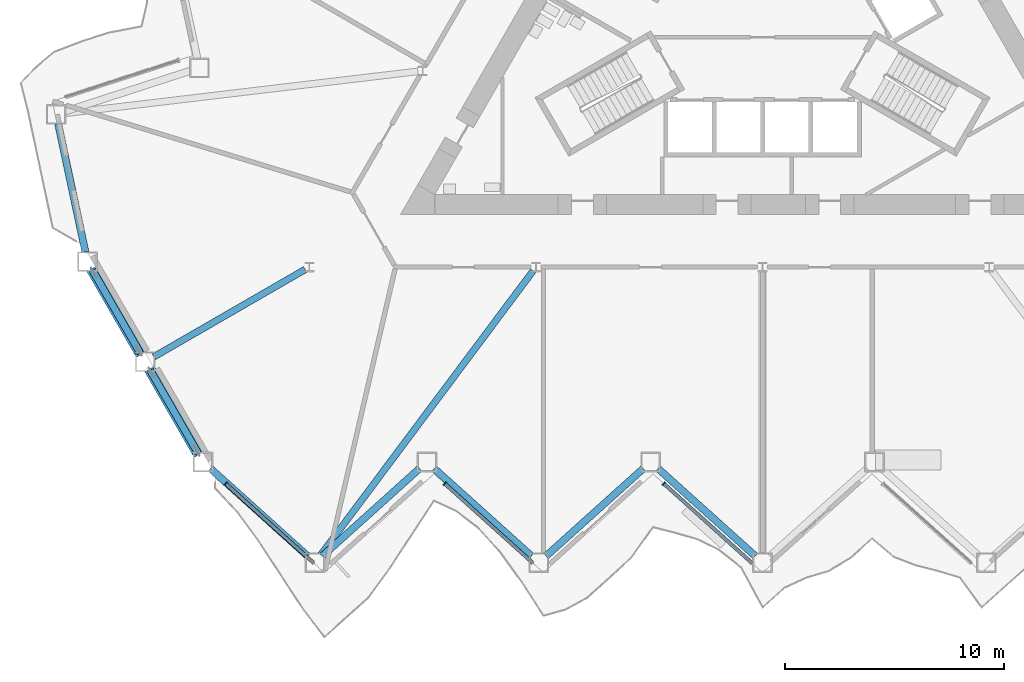
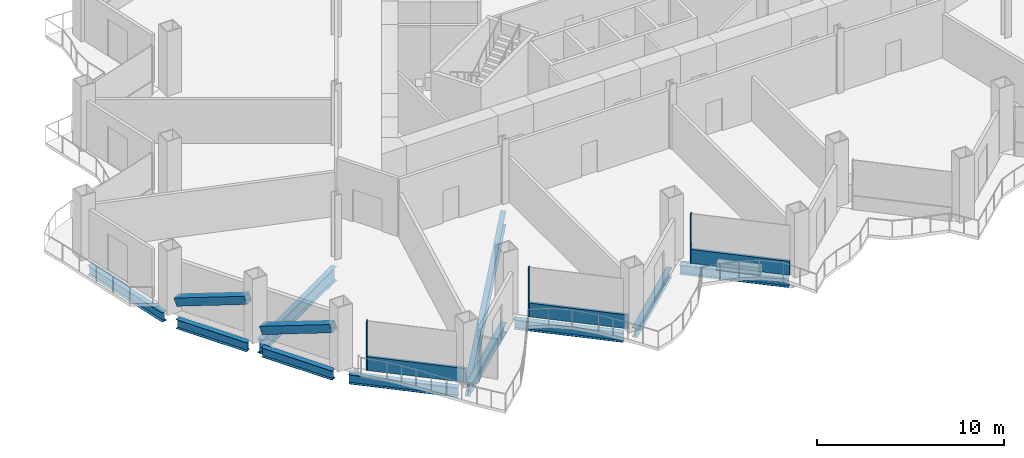
# One storey, part 3 of 21: 10 beams, 8 members, 3 elements without a shape of their own.
"""IFC4 building model written with IfcOpenShell, lengths in metres."""

from ifc_helpers import new_model, si_unit, direction, frame, origin, origin_2d, place, context, subcontext, project, spatial, rectangle, hollow_rectangle, i_section, extrude, material, layer, layer_set, material_profile, profile_set, type_object, element, aggregate, save


model = new_model("IFC4")

# Units and contexts
model_context = context("Model", 3, precision=1e-05, world=origin(), true_north=direction((0.0, 1.0)))
body_context = subcontext(model_context, "Body", "Model", "MODEL_VIEW")
ifc_project = project(units=[si_unit("LENGTHUNIT", "METRE"), si_unit("AREAUNIT", "SQUARE_METRE"), si_unit("VOLUMEUNIT", "CUBIC_METRE"), si_unit("PLANEANGLEUNIT", "RADIAN"), si_unit("MASSUNIT", "GRAM", prefix="KILO")], contexts=[model_context])

# Site, building, storey
site_placement = place(None, origin())
site = spatial("IfcSite", under=ifc_project, at=site_placement, CompositionType="ELEMENT")
building_placement = place(site_placement, origin())
building = spatial("IfcBuilding", under=site, at=building_placement, Name="Cormorant Prow Tower", CompositionType="ELEMENT")
storey_placement = place(building_placement, frame((0.0, 0.0, 108.0)))
storey = spatial("IfcBuildingStorey", under=building, at=storey_placement, Name="L22", CompositionType="ELEMENT", Elevation=108.0)

# Members
ifc_material_1 = material(Name="Structural steel ASTM A500 Gr C", Category="steel")
ifc_material_profile_1 = material_profile(ifc_material_1, hollow_rectangle(XDim=0.508056640625, YDim=0.508056640625, WallThickness=0.014892578125, at=origin_2d()), Name="HSS20x20x5/8")
ifc_profile_set_1 = profile_set([ifc_material_profile_1], Name="Structural steel ASTM A500 Gr C")
member_type_1 = type_object("IfcMemberType", Name="Chamfer brace HSS20x20x5/8", PredefinedType="BRACE", material=ifc_profile_set_1)
for number, where, z_axis, x_axis, name in (
    (1, (-30.535400390625, -12.0849609375, 0.776611328125), (0.467784671838, -0.810243526908, 0.35310469821), (0.866029868417, 0.499992266949, 0.0), "Chamfer brace BR1 at WSW00 L22"),
    (2, (-27.900634765625, -16.648681640625, 0.776611328125), (0.467784671838, -0.810243526908, 0.35310469821), (0.866029868417, 0.499992266949, 0.0), "Chamfer brace BR1 at WSW01 L22"),
):
    element("IfcMember", number, at=place(storey_placement, frame(where, z_axis=z_axis, x_axis=x_axis)), inside=storey, type_object=member_type_1, Name=name, PredefinedType="BRACE", context=body_context, shape_type="SweptSolid", body=[
        extrude(hollow_rectangle(XDim=0.508056640625, YDim=0.508056640625, WallThickness=0.014892578125, at=origin_2d()), origin(), (0.0, 0.0, 1.0), 4.632568359375),
    ])

# Curtain wall, member
ifc_material_2 = material(Name="Aluminium 6063-T6", Category="aluminium")
ifc_layer = layer(ifc_material_2, 0.199951171875)
ifc_layer_set = layer_set([ifc_layer], Name="Aluminium 6063-T6")
curtain_wall_type = type_object("IfcCurtainWallType", Name="Office unitised curtain wall 200", PredefinedType="NOTDEFINED", material=ifc_layer_set)
curtain_wall_1_placement = place(storey_placement, origin())
curtain_wall_1 = element("IfcCurtainWall", 3, at=curtain_wall_1_placement, inside=storey, type_object=curtain_wall_type, Name="Office curtain wall S00", PredefinedType="NOTDEFINED")
ifc_material_3 = material(Name="Aluminium 6063-T6", Category="aluminium")
ifc_material_profile_2 = material_profile(ifc_material_3, rectangle(XDim=0.199951171875, YDim=0.06005859375, at=origin_2d()), Name="Office mullion 60x200")
ifc_profile_set_2 = profile_set([ifc_material_profile_2], Name="Aluminium 6063-T6")
member_type_2 = type_object("IfcMemberType", Name="Office mullion 60x200", PredefinedType="MULLION", material=ifc_profile_set_2)
member_1_placement = place(storey_placement, frame((-24.468505859375, -21.800537109375, 0.0), z_axis=(0.0, 0.0, 1.0), x_axis=(0.669130650497, 0.743144785735, 0.0)))
member_1 = element("IfcMember", 4, at=member_1_placement, type_object=member_type_2, Name="Office mullion S00", PredefinedType="MULLION", context=body_context, shape_type="SweptSolid", body=[
    extrude(rectangle(XDim=0.199951171875, YDim=0.06005859375, at=origin_2d()), origin(), (0.0, 0.0, 1.0), 3.18896484375),
])

curtain_wall_2_placement = place(storey_placement, origin())
curtain_wall_2 = element("IfcCurtainWall", 5, at=curtain_wall_2_placement, inside=storey, type_object=curtain_wall_type, Name="Office curtain wall S02", PredefinedType="NOTDEFINED")
member_2_placement = place(storey_placement, frame((-14.483154296875, -21.800537109375, 0.0), z_axis=(0.0, 0.0, 1.0), x_axis=(0.669130650497, 0.743144785735, 0.0)))
member_2 = element("IfcMember", 6, at=member_2_placement, type_object=member_type_2, Name="Office mullion S02", PredefinedType="MULLION", context=body_context, shape_type="SweptSolid", body=[
    extrude(rectangle(XDim=0.199951171875, YDim=0.06005859375, at=origin_2d()), origin(), (0.0, 0.0, 1.0), 3.18896484375),
])

curtain_wall_3_placement = place(storey_placement, origin())
curtain_wall_3 = element("IfcCurtainWall", 7, at=curtain_wall_3_placement, inside=storey, type_object=curtain_wall_type, Name="Office curtain wall S04", PredefinedType="NOTDEFINED")
member_3_placement = place(storey_placement, frame((-4.497802734375, -21.800537109375, 0.0), z_axis=(0.0, 0.0, 1.0), x_axis=(0.669130650497, 0.743144785735, 0.0)))
member_3 = element("IfcMember", 8, at=member_3_placement, type_object=member_type_2, Name="Office mullion S04", PredefinedType="MULLION", context=body_context, shape_type="SweptSolid", body=[
    extrude(rectangle(XDim=0.199951171875, YDim=0.06005859375, at=origin_2d()), origin(), (0.0, 0.0, 1.0), 3.18896484375),
])

# Member
ifc_material_4 = material(Name="Terracotta", Category="masonry")
ifc_material_profile_3 = material_profile(ifc_material_4, rectangle(XDim=0.159912109375, YDim=0.89990234375, at=origin_2d()), Name="Office terracotta spandrel rail 160x900")
ifc_profile_set_3 = profile_set([ifc_material_profile_3], Name="Terracotta")
member_type_3 = type_object("IfcMemberType", Name="Office terracotta spandrel rail 160x900", PredefinedType="USERDEFINED", material=ifc_profile_set_3)
member_4_placement = place(storey_placement, frame((-24.446044921875, -21.820556640625, 0.449951171875), z_axis=(0.743125087883, -0.669152526528, 0.0), x_axis=(0.669152526528, 0.743125087883, 0.0)))
member_4 = element("IfcMember", 9, at=member_4_placement, type_object=member_type_3, Name="Office spandrel rail S00", ObjectType="TRANSOM", PredefinedType="USERDEFINED", context=body_context, shape_type="SweptSolid", body=[
    extrude(rectangle(XDim=0.159912109375, YDim=0.89990234375, at=origin_2d()), origin(), (0.0, 0.0, 1.0), 5.38623046875),
])

aggregate(curtain_wall_1, [member_1, member_4])

member_5_placement = place(storey_placement, frame((-14.460693359375, -21.820556640625, 0.449951171875), z_axis=(0.743125087883, -0.669152526528, 0.0), x_axis=(0.669152526528, 0.743125087883, 0.0)))
member_5 = element("IfcMember", 10, at=member_5_placement, type_object=member_type_3, Name="Office spandrel rail S02", ObjectType="TRANSOM", PredefinedType="USERDEFINED", context=body_context, shape_type="SweptSolid", body=[
    extrude(rectangle(XDim=0.159912109375, YDim=0.89990234375, at=origin_2d()), origin(), (0.0, 0.0, 1.0), 5.38623046875),
])

aggregate(curtain_wall_2, [member_2, member_5])

member_6_placement = place(storey_placement, frame((-4.475341796875, -21.820556640625, 0.449951171875), z_axis=(0.743125087883, -0.669152526528, 0.0), x_axis=(0.669152526528, 0.743125087883, 0.0)))
member_6 = element("IfcMember", 11, at=member_6_placement, type_object=member_type_3, Name="Office spandrel rail S04", ObjectType="TRANSOM", PredefinedType="USERDEFINED", context=body_context, shape_type="SweptSolid", body=[
    extrude(rectangle(XDim=0.159912109375, YDim=0.89990234375, at=origin_2d()), origin(), (0.0, 0.0, 1.0), 5.38623046875),
])

aggregate(curtain_wall_3, [member_3, member_6])

# Beams
ifc_material_5 = material(Name="Structural steel ASTM A992 Gr 50", Category="steel")
ifc_material_profile_4 = material_profile(ifc_material_5, i_section(OverallWidth=0.3046875, OverallDepth=0.914794921875, WebThickness=0.0166015625, FlangeThickness=0.02587890625, at=origin_2d()), Name="W36x160")
ifc_profile_set_4 = profile_set([ifc_material_profile_4], Name="Structural steel ASTM A992 Gr 50")
beam_type_1 = type_object("IfcBeamType", Name="Radial floor beam W36x160", PredefinedType="BEAM", material=ifc_profile_set_4)
beam_1_placement = place(storey_placement, frame((-20.84521484375, -12.034912109375, -0.857421875), z_axis=(-0.866018715534, -0.50001158421, 0.0), x_axis=(0.50001158421, -0.866018715534, 0.0)))
element("IfcBeam", 12, at=beam_1_placement, inside=storey, type_object=beam_type_1, Name="Radial floor beam FB1 5 L22", PredefinedType="BEAM", context=body_context, shape_type="SweptSolid", body=[
    extrude(i_section(OverallWidth=0.3046875, OverallDepth=0.914794921875, WebThickness=0.0166015625, FlangeThickness=0.02587890625, at=origin_2d()), origin(), (0.0, 0.0, 1.0), 7.967041015625),
])
beam_2_placement = place(storey_placement, frame((-10.458740234375, -12.100341796875, -0.857421875), z_axis=(-0.598722444929, -0.800956574315, 0.0), x_axis=(0.800956574315, -0.598722444929, 0.0)))
element("IfcBeam", 13, at=beam_2_placement, inside=storey, type_object=beam_type_1, Name="Radial floor beam FB1 6 L22", PredefinedType="BEAM", context=body_context, shape_type="SweptSolid", body=[
    extrude(i_section(OverallWidth=0.3046875, OverallDepth=0.914794921875, WebThickness=0.0166015625, FlangeThickness=0.02587890625, at=origin_2d()), origin(), (0.0, 0.0, 1.0), 16.15380859375),
])
ifc_material_6 = material(Name="Structural steel ASTM A992 Gr 50", Category="steel")
ifc_material_profile_5 = material_profile(ifc_material_6, i_section(OverallWidth=0.32373046875, OverallDepth=0.611083984375, WebThickness=0.0126953125, FlangeThickness=0.01904296875, at=origin_2d()), Name="W24x104")
ifc_profile_set_5 = profile_set([ifc_material_profile_5], Name="Structural steel ASTM A992 Gr 50")
beam_type_2 = type_object("IfcBeamType", Name="Spandrel beam W24x104", PredefinedType="SPANDREL", material=ifc_profile_set_5)
for number, where, z_axis, x_axis, name in (
    (14, (-25.165283203125, -21.108154296875, -0.70556640625), (0.743131253571, -0.66914567918, 0.0), (0.66914567918, 0.743131253571, 0.0), "Spandrel beam SB1 S00-S01 L22"),
    (15, (-20.0654296875, -25.09814453125, -0.70556640625), (0.743131253571, 0.66914567918, 0.0), (-0.66914567918, 0.743131253571, 0.0), "Spandrel beam SB1 S01-S02 L22"),
    (16, (-14.96533203125, -21.108154296875, -0.70556640625), (0.743131253571, -0.66914567918, 0.0), (0.66914567918, 0.743131253571, 0.0), "Spandrel beam SB1 S02-S03 L22"),
    (17, (-9.865478515625, -25.09814453125, -0.70556640625), (0.743131253571, 0.66914567918, 0.0), (-0.66914567918, 0.743131253571, 0.0), "Spandrel beam SB1 S03-S04 L22"),
    (18, (-4.765625, -21.108154296875, -0.70556640625), (0.743131253571, -0.66914567918, 0.0), (0.66914567918, 0.743131253571, 0.0), "Spandrel beam SB1 S04-S05 L22"),
    (19, (-32.1025390625, -5.4072265625, -0.70556640625), (0.207912620873, -0.978147403044, 0.0), (0.978147403044, 0.207912620873, 0.0), "Spandrel beam SB1 WNW09-WSW00 L22"),
):
    element("IfcBeam", number, at=place(storey_placement, frame(where, z_axis=z_axis, x_axis=x_axis)), inside=storey, type_object=beam_type_2, Name=name, PredefinedType="SPANDREL", context=body_context, shape_type="SweptSolid", body=[
        extrude(i_section(OverallWidth=0.32373046875, OverallDepth=0.611083984375, WebThickness=0.0126953125, FlangeThickness=0.01904296875, at=origin_2d()), origin(), (0.0, 0.0, 1.0), 5.962890625),
    ])
for number, where, z_axis, x_axis, name in (
    (20, (-30.54443359375, -12.069580078125, -0.70556640625), (0.500002967982, -0.866023690213, 0.0), (0.866023690213, 0.500002967982, 0.0), "Spandrel beam SB1 WSW00-WSW01 L22"),
    (21, (-27.909423828125, -16.63330078125, -0.70556640625), (0.500002967982, -0.866023690213, 0.0), (0.866023690213, 0.500002967982, 0.0), "Spandrel beam SB1 WSW01-S00 L22"),
):
    element("IfcBeam", number, at=place(storey_placement, frame(where, z_axis=z_axis, x_axis=x_axis)), inside=storey, type_object=beam_type_2, Name=name, PredefinedType="SPANDREL", context=body_context, shape_type="SweptSolid", body=[
        extrude(i_section(OverallWidth=0.32373046875, OverallDepth=0.611083984375, WebThickness=0.0126953125, FlangeThickness=0.01904296875, at=origin_2d()), origin(), (0.0, 0.0, 1.0), 4.36962890625),
    ])

save(model, "model.ifc")
